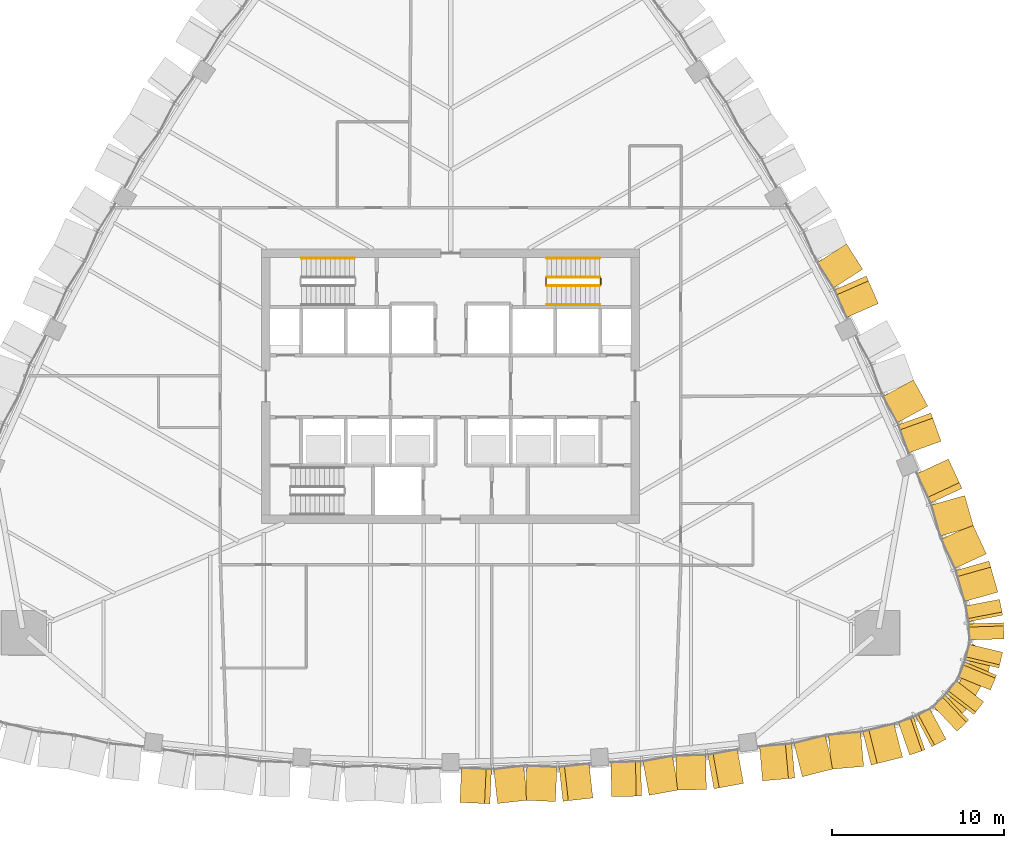
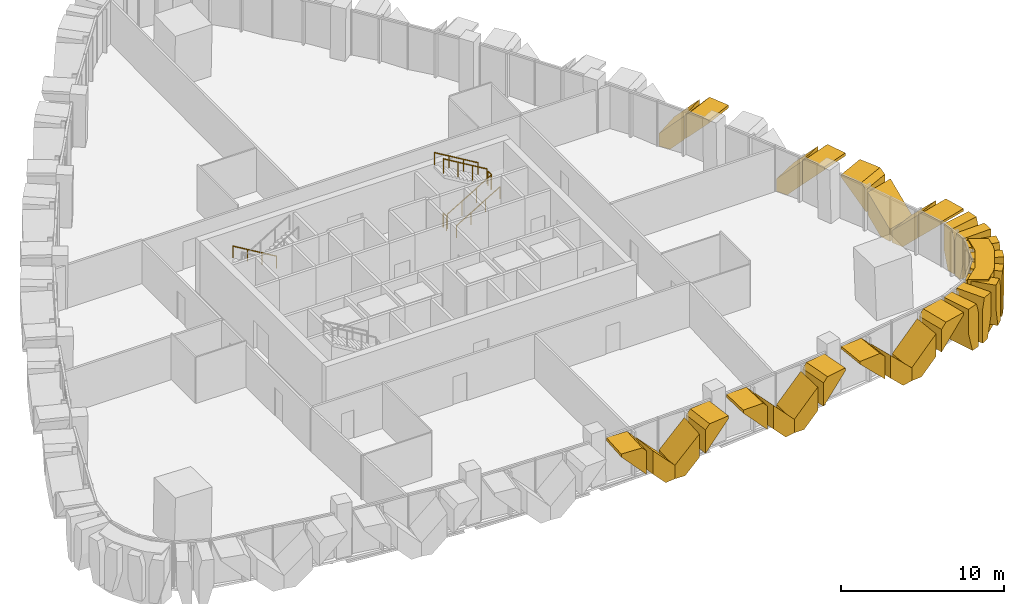
# One storey, part 16 of 18: 29 coverings, 7 railings.
"""IFC4 building model written with IfcOpenShell, lengths in metres."""

from ifc_helpers import new_model, si_unit, direction, frame, origin, origin_2d, place, context, subcontext, project, spatial, polyline, circle, outline, extrude, material, layer, layer_set, type_object, element, save


model = new_model("IFC4")

# Units and contexts
model_context = context("Model", 3, precision=1e-05, world=origin(), true_north=direction((0.0, 1.0)))
body_context = subcontext(model_context, "Body", "Model", "MODEL_VIEW")
ifc_project = project(units=[si_unit("LENGTHUNIT", "METRE"), si_unit("AREAUNIT", "SQUARE_METRE"), si_unit("VOLUMEUNIT", "CUBIC_METRE"), si_unit("PLANEANGLEUNIT", "RADIAN"), si_unit("MASSUNIT", "GRAM", prefix="KILO")], contexts=[model_context])

# Site, building, storey
site_placement = place(None, origin())
site = spatial("IfcSite", under=ifc_project, at=site_placement, CompositionType="ELEMENT")
building_placement = place(site_placement, origin())
building = spatial("IfcBuilding", under=site, at=building_placement, Name="Sierra Prisma Convention Tower", CompositionType="ELEMENT")
storey_placement = place(building_placement, frame((0.0, 0.0, 133.800048828125)))
storey = spatial("IfcBuildingStorey", under=building, at=storey_placement, Name="L28", CompositionType="ELEMENT", Elevation=133.800048828125)

# Coverings
ifc_material_1 = material(Name="Aluminium composite bronze anodised", Category="aluminium")
ifc_layer_1 = layer(ifc_material_1, 1.199951171875)
ifc_layer_set_1 = layer_set([ifc_layer_1], Name="Bronze corner pier")
covering_type_1 = type_object("IfcCoveringType", Name="Bronze corner pier", PredefinedType="CLADDING", material=ifc_layer_set_1)
covering_1_placement = place(storey_placement, frame((0.0, 0.0, -0.60009765625)))
element("IfcCovering", 1, at=covering_1_placement, inside=storey, type_object=covering_type_1, Name="Corner pier SE L28.1", PredefinedType="CLADDING", context=body_context, shape_type="SweptSolid", body=[
    extrude(outline(polyline([(31.3291015625, -16.532958984375), (31.188720703125, -16.912109375), (30.240478515625, -18.55419921875), (29.982421875, -18.865234375), (29.295654296875, -19.4541015625), (28.19384765625, -18.818115234375), (29.201416015625, -17.954345703125), (30.149658203125, -16.31201171875), (30.393798828125, -15.007568359375), (31.49560546875, -15.6435546875), (31.3291015625, -16.532958984375)])), origin(), (0.0, 0.0, 1.0), 4.0),
])
ifc_material_2 = material(Name="Aluminium 6063-T6 bronze anodised", Category="aluminium")
ifc_layer_2 = layer(ifc_material_2, 2.0)
ifc_layer_set_2 = layer_set([ifc_layer_2], Name="Bronze crystal chevron frame")
covering_type_2 = type_object("IfcCoveringType", Name="Bronze crystal chevron frame", PredefinedType="CLADDING", material=ifc_layer_set_2)
covering_2_placement = place(storey_placement, frame((0.53955078125, -24.225830078125, 3.280029296875), z_axis=(-0.045043514966, -0.998985022572, -8.0223814e-05), x_axis=(3.613563e-06, 8.0142389e-05, -0.999999996782)))
element("IfcCovering", 2, at=covering_2_placement, inside=storey, type_object=covering_type_2, Name="CW-2 chevron frame S4.1.1", PredefinedType="CLADDING", context=body_context, shape_type="SweptSolid", body=[
    extrude(outline(polyline([(0.0, 0.0), (0.22094726491400712, 0.0), (2.087646479805005, 1.7512880249437868), (0.33374023544895276, 1.7512880249437868), (-1.2709881421809336e-08, 1.4382344852967308), (0.0, 0.0)])), origin(), (0.0, 0.0, -1.0), 2.0),
])
covering_3_placement = place(storey_placement, frame((2.732177734375, -24.289794921875, 2.8076171875), z_axis=(0.111661308062, -0.993746321847, 9.884471e-06), x_axis=(1.103713e-06, -9.822657e-06, -0.999999999951)))
element("IfcCovering", 3, at=covering_3_placement, inside=storey, type_object=covering_type_2, Name="CW-2 chevron frame S4.1.2", PredefinedType="CLADDING", context=body_context, shape_type="SweptSolid", body=[
    extrude(outline(polyline([(0.0, 0.0), (1.7539062499143192, 3.7140409503630943e-22), (2.807617187729086, 0.9886001246468844), (2.8076171874657945, 1.7514302335337997), (1.8666992187617597, 1.7514302335337997), (0.0, 0.0)])), origin(), (0.0, 0.0, -1.0), 2.0),
])
covering_4_placement = place(storey_placement, frame((5.1103515625, -24.132568359375, 0.0), z_axis=(-0.044996827624, -0.998987128432, -5.2264997e-05), x_axis=(0.683506027858, -0.030824941156, 0.729293721956)))
element("IfcCovering", 4, at=covering_4_placement, inside=storey, type_object=covering_type_2, Name="CW-2 chevron frame S4.2.1", PredefinedType="CLADDING", context=body_context, shape_type="SweptSolid", body=[
    extrude(outline(polyline([(0.0, 0.0), (1.444837536835808, -1.1102230246251565e-16), (2.7239503538608503, 1.2000239692224144), (0.16434575188336664, 1.200030327566231), (-0.5218598156019497, 0.5562535489772575), (0.0, 0.0)])), origin(), (0.0, 0.0, -1.0), 2.0),
])
covering_5_placement = place(storey_placement, frame((8.281494140625, -23.966552734375, 3.280029296875), z_axis=(0.111815544828, -0.993728978428, -3.6988176e-05), x_axis=(-0.993728979107, -0.111815544905, 1.879e-09)))
element("IfcCovering", 5, at=covering_5_placement, inside=storey, type_object=covering_type_2, Name="CW-2 chevron frame S4.2.2", PredefinedType="CLADDING", context=body_context, shape_type="SweptSolid", body=[
    extrude(outline(polyline([(0.0, 0.0), (1.4382265351041053, 8.470329472543003e-22), (1.7512148992974765, 0.3337402378931248), (1.751214896002595, 2.0876464866933433), (-4.150706852106477e-10, 0.22094726547385823), (0.0, 0.0)])), origin(), (0.0, 0.0, -1.0), 2.0),
])
covering_6_placement = place(storey_placement, frame((9.370849609375, -23.89404296875, 3.280029296875), z_axis=(0.021984205937, -0.999758318063, -1.2378315e-05), x_axis=(-2.72127e-07, 1.2375323e-05, -0.999999999923)))
element("IfcCovering", 6, at=covering_6_placement, inside=storey, type_object=covering_type_2, Name="CW-2 chevron frame S5.1.1", PredefinedType="CLADDING", context=body_context, shape_type="SweptSolid", body=[
    extrude(outline(polyline([(0.0, 0.0), (0.2233886718578859, 1.1826097820094068e-23), (2.0893554686407314, 1.7433413460768328), (0.3315429687754, 1.7433413460768328), (-3.0356495590493144e-10, 1.43369556844811), (0.0, 0.0)])), origin(), (0.0, 0.0, -1.0), 2.0),
])
covering_7_placement = place(storey_placement, frame((11.554931640625, -23.811279296875, 2.809326171875), z_axis=(0.178010314701, -0.984028621464, 2.1641e-08), x_axis=(3.852e-09, -2.1295e-08, -1.0)))
element("IfcCovering", 7, at=covering_7_placement, inside=storey, type_object=covering_type_2, Name="CW-2 chevron frame S5.1.2", PredefinedType="CLADDING", context=body_context, shape_type="SweptSolid", body=[
    extrude(outline(polyline([(0.0, 0.0), (1.7578124999999996, 0.0), (2.8093261718750013, 0.9819923508495718), (2.809326171875, 1.743172901462403), (1.8662109375, 1.743172901462403), (0.0, 0.0)])), origin(), (0.0, 0.0, -1.0), 2.0),
])
covering_8_placement = place(storey_placement, frame((13.907470703125, -23.49658203125, 0.0), z_axis=(0.022011240145, -0.999757722663, -3.5818365e-05), x_axis=(0.682434137381, 0.014998679704, 0.730793190817)))
element("IfcCovering", 8, at=covering_8_placement, inside=storey, type_object=covering_type_2, Name="CW-2 chevron frame S5.2.1", PredefinedType="CLADDING", context=body_context, shape_type="SweptSolid", body=[
    extrude(outline(polyline([(0.0, 0.0), (1.438866273732484, 0.0), (2.7234636794657856, 1.1998809467506812), (0.16981308963603492, 1.1998509530313863), (-0.5194091018011519, 0.5560814950733473), (0.0, 0.0)])), origin(), (0.0, 0.0, -1.0), 2.0),
])
covering_9_placement = place(storey_placement, frame((17.046142578125, -23.120361328125, 3.280029296875), z_axis=(0.178001956943, -0.984030132331, 4.4586678e-05), x_axis=(-0.98403013331, -0.17800195712, 2.747e-09)))
element("IfcCovering", 9, at=covering_9_placement, inside=storey, type_object=covering_type_2, Name="CW-2 chevron frame S5.2.2", PredefinedType="CLADDING", context=body_context, shape_type="SweptSolid", body=[
    extrude(outline(polyline([(0.0, 0.0), (1.433770064840574, 1.6940658945086007e-21), (1.7431729004889747, 0.331542973868052), (1.7431728956602568, 2.0893554721208107), (-6.136495787424657e-10, 0.22338867165295478), (0.0, 0.0)])), origin(), (0.0, 0.0, -1.0), 2.0),
])
covering_10_placement = place(storey_placement, frame((18.16015625, -22.9716796875, 3.280029296875), z_axis=(0.088695713946, -0.996058768479, -7.976695e-06), x_axis=(-7.07499e-07, 7.945257e-06, -0.999999999968)))
element("IfcCovering", 10, at=covering_10_placement, inside=storey, type_object=covering_type_2, Name="CW-2 chevron frame S6.1.1", PredefinedType="CLADDING", context=body_context, shape_type="SweptSolid", body=[
    extrude(outline(polyline([(0.0, 0.0), (0.1874999999940349, 0.0), (2.0627441405827707, 1.879968243921956), (0.3676757812616972, 1.879968243921956), (-1.1978343569477988e-10, 1.5113262484362924), (0.0, 0.0)])), origin(), (0.0, 0.0, -1.0), 2.0),
])
covering_11_placement = place(storey_placement, frame((20.4697265625, -22.73095703125, 2.78271484375), z_axis=(0.243356847175, -0.969936825206, -6.581119e-06), x_axis=(-1.60156e-06, 6.38327e-06, -0.999999999978)))
element("IfcCovering", 11, at=covering_11_placement, inside=storey, type_object=covering_type_2, Name="CW-2 chevron frame S6.1.2", PredefinedType="CLADDING", context=body_context, shape_type="SweptSolid", body=[
    extrude(outline(polyline([(0.0, 0.0), (1.6950683593382923, -3.5894468705972945e-22), (2.7827148438495546, 1.0904041063882297), (2.782714843736846, 1.8800070505939015), (1.8754882812564924, 1.8800070505939015), (0.0, 0.0)])), origin(), (0.0, 0.0, -1.0), 2.0),
])
covering_12_placement = place(storey_placement, frame((22.170654296875, -22.2939453125, 0.0), z_axis=(0.088705312955, -0.996057913607, -1.3960801e-05), x_axis=(0.996057913704, 0.088705312963, -6.42e-10)))
element("IfcCovering", 12, at=covering_12_placement, inside=storey, type_object=covering_type_2, Name="CW-2 chevron frame S6.2.1", PredefinedType="CLADDING", context=body_context, shape_type="SweptSolid", body=[
    extrude(outline(polyline([(0.0, 0.0), (0.7894924230616687, 0.0), (1.8799682431641798, 1.0876464856887509), (1.8799682420752084, 2.782714844898563), (-5.82834137113485e-10, 0.9072265624115892), (0.0, 0.0)])), origin(), (0.0, 0.0, -1.0), 2.0),
])
covering_13_placement = place(storey_placement, frame((26.3037109375, -21.595458984375, 3.280029296875), z_axis=(0.243525094377, -0.969894594578, -6.1779533e-05), x_axis=(-0.969894596429, -0.243525094842, 4.754e-09)))
element("IfcCovering", 13, at=covering_13_placement, inside=storey, type_object=covering_type_2, Name="CW-2 chevron frame S6.2.2", PredefinedType="CLADDING", context=body_context, shape_type="SweptSolid", body=[
    extrude(outline(polyline([(0.0, 0.0), (1.5113483886673635, -3.3881317890172014e-21), (1.879829685498246, 0.3676757908887005), (1.8798296774395895, 2.0627441470289076), (-8.914083263495671e-10, 0.18749999964218333), (0.0, 0.0)])), origin(), (0.0, 0.0, -1.0), 2.0),
])
covering_14_placement = place(storey_placement, frame((26.72021484375, -21.47119140625, 3.280029296875), z_axis=(0.327781436726, -0.944753581472, -5.815334e-06), x_axis=(-1.906158e-06, 5.494057e-06, -0.999999999983)))
element("IfcCovering", 14, at=covering_14_placement, inside=storey, type_object=covering_type_2, Name="CW-2 chevron frame SE1.1.1", PredefinedType="CLADDING", context=body_context, shape_type="SweptSolid", body=[
    extrude(outline(polyline([(0.0, 0.0), (1.8425292968438447, 3.9017075518360624e-22), (3.2800292957587933, 0.38187741431778793), (3.2800292967143694, 0.9377899355626428), (0.6989746092580126, 0.9377899355626428), (-1.2996455953432225e-09, 0.7521750843196754), (0.0, 0.0)])), origin(), (0.0, 0.0, -1.0), 2.0),
])
covering_15_placement = place(storey_placement, frame((28.502685546875, -20.72412109375, 0.0), z_axis=(0.471411342333, -0.881913457303, -1.2119783e-05), x_axis=(0.226540037682, 0.121079715075, 0.966446746554)))
element("IfcCovering", 15, at=covering_15_placement, inside=storey, type_object=covering_type_2, Name="CW-2 chevron frame SE1.1.2", PredefinedType="CLADDING", context=body_context, shape_type="SweptSolid", body=[
    extrude(outline(polyline([(0.0, 0.0), (1.4874073548425764, 0.0), (3.26811379923762, 0.4732850813557993), (3.0748916048077106, 1.2002718882993109), (2.3516757994695867, 1.2001743713240534), (-0.14277610594241902, 0.5371864449833207), (0.0, 0.0)])), origin(), (0.0, 0.0, -1.0), 2.0),
])
covering_16_placement = place(storey_placement, frame((29.4775390625, -20.08447265625, 3.280029296875), z_axis=(0.686776860038, -0.72686831302, -6.578179e-06), x_axis=(-4.517741e-06, 4.78147e-06, -0.999999999978)))
element("IfcCovering", 16, at=covering_16_placement, inside=storey, type_object=covering_type_2, Name="CW-2 chevron frame SE2.1.1", PredefinedType="CLADDING", context=body_context, shape_type="SweptSolid", body=[
    extrude(outline(polyline([(0.0, 0.0), (1.8425292968351348, -7.803415103672125e-22), (3.2800292965332125, 0.38219269159958436), (3.2800292968002047, 0.9377767790078648), (0.698974609356049, 0.9377767790078648), (-5.248669577190075e-10, 0.7522961076837642), (0.0, 0.0)])), origin(), (0.0, 0.0, -1.0), 2.0),
])
covering_17_placement = place(storey_placement, frame((30.456787109375, -19.111572265625, 0.0), z_axis=(0.792228837895, -0.61022411325, -4.018658e-06), x_axis=(0.610224113255, 0.792228837901, -7.74e-10)))
element("IfcCovering", 17, at=covering_17_placement, inside=storey, type_object=covering_type_2, Name="CW-2 chevron frame SE2.1.2", PredefinedType="CLADDING", context=body_context, shape_type="SweptSolid", body=[
    extrude(outline(polyline([(0.0, 0.0), (0.5558550090050791, 2.117582368135751e-22), (0.9377728688101067, 1.437500000785169), (0.9377728673842082, 3.2800292976452905), (0.18575633969912095, 3.2800292966283124), (-1.997429336418678e-09, 2.5810546874791584), (0.0, 0.0)])), origin(), (0.0, 0.0, -1.0), 2.0),
])
covering_18_placement = place(storey_placement, frame((31.42236328125, -17.687744140625, 3.280029296875), z_axis=(0.924737510629, -0.3806054866, 2.395986e-06), x_axis=(2.215658e-06, -9.11925e-07, -0.999999999997)))
element("IfcCovering", 18, at=covering_18_placement, inside=storey, type_object=covering_type_2, Name="CW-2 chevron frame SE3.1.1", PredefinedType="CLADDING", context=body_context, shape_type="SweptSolid", body=[
    extrude(outline(polyline([(0.0, 0.0), (1.8425292968697113, 0.0), (3.280029297103907, 0.38206446481889406), (3.280029296898081, 0.937771694134344), (0.6989746094054894, 0.937771694134344), (2.1764435416105993e-10, 0.7522039559503263), (0.0, 0.0)])), origin(), (0.0, 0.0, -1.0), 2.0),
])
covering_19_placement = place(storey_placement, frame((31.91552734375, -16.3984375, 0.0), z_axis=(0.972849590387, -0.23143827355, 4.486739e-06), x_axis=(0.231438273553, 0.972849590397, -1.1e-10)))
element("IfcCovering", 19, at=covering_19_placement, inside=storey, type_object=covering_type_2, Name="CW-2 chevron frame SE3.1.2", PredefinedType="CLADDING", context=body_context, shape_type="SweptSolid", body=[
    extrude(outline(polyline([(0.0, 0.0), (0.5558666535378102, 0.0), (0.9378143417605912, 1.4375000001125429), (0.9378143415574124, 3.280029296968997), (0.18570357215754435, 3.2800292969093396), (-2.8461734374496917e-10, 2.581054687474021), (0.0, 0.0)])), origin(), (0.0, 0.0, -1.0), 2.0),
])
covering_20_placement = place(storey_placement, frame((32.21142578125, -14.703857421875, 3.280029296875), z_axis=(0.999461498082, 0.032813316468, 1.0713639e-05), x_axis=(1.0707869e-05, 3.5155e-07, -0.999999999943)))
element("IfcCovering", 20, at=covering_20_placement, inside=storey, type_object=covering_type_2, Name="CW-2 chevron frame SE4.1.1", PredefinedType="CLADDING", context=body_context, shape_type="SweptSolid", body=[
    extrude(outline(polyline([(0.0, 0.0), (1.8425292967692555, 0.0), (3.280029297595664, 0.38203888238021355), (3.2800292968724305, 0.9380045485178106), (0.6989746095205599, 0.9380045485178106), (3.12315684376801e-10, 0.7523573142655194), (0.0, 0.0)])), origin(), (0.0, 0.0, -1.0), 2.0),
])
covering_21_placement = place(storey_placement, frame((32.131591796875, -13.32568359375, 0.0), z_axis=(0.982073175413, 0.188500074445, -8.23377e-06), x_axis=(-0.188500074451, 0.982073175447, 6.39e-10)))
element("IfcCovering", 21, at=covering_21_placement, inside=storey, type_object=covering_type_2, Name="CW-2 chevron frame SE4.1.2", PredefinedType="CLADDING", context=body_context, shape_type="SweptSolid", body=[
    extrude(outline(polyline([(0.0, 0.0), (0.5558550176363045, 1.0587911840678754e-22), (0.9377085145145521, 1.4374999993544242), (0.9377085156924578, 3.2800292961669673), (0.1856846145737316, 3.2800292973950973), (1.6500356587547523e-09, 2.5810546874125087), (0.0, 0.0)])), origin(), (0.0, 0.0, -1.0), 2.0),
])
covering_22_placement = place(storey_placement, frame((31.854248046875, -11.98193359375, 3.280029296875), z_axis=(0.961687541269, 0.274147900825, -3.7977432e-05), x_axis=(-3.6522423e-05, -1.0411433e-05, -0.999999999279)))
element("IfcCovering", 22, at=covering_22_placement, inside=storey, type_object=covering_type_2, Name="CW-2 chevron frame NE1.1.1", PredefinedType="CLADDING", context=body_context, shape_type="SweptSolid", body=[
    extrude(outline(polyline([(0.0, 0.0), (0.18749999986478577, 0.0), (2.062744139667761, 1.879888297677558), (0.3676757815151467, 1.879888297677558), (-2.715200720367712e-09, 1.5115030793156903), (0.0, 0.0)])), origin(), (0.0, 0.0, -1.0), 2.0),
])
covering_23_placement = place(storey_placement, frame((31.184326171875, -9.75830078125, 2.78271484375), z_axis=(0.906966874756, 0.421201956328, -9.049113e-06), x_axis=(-8.207245e-06, -3.811504e-06, -0.999999999959)))
element("IfcCovering", 23, at=covering_23_placement, inside=storey, type_object=covering_type_2, Name="CW-2 chevron frame NE1.1.2", PredefinedType="CLADDING", context=body_context, shape_type="SweptSolid", body=[
    extrude(outline(polyline([(0.0, 0.0), (1.6950683593055986, -7.178893741194589e-22), (2.782714843938223, 1.0902091608386657), (2.7827148437251306, 1.8797137771249768), (1.875488281262275, 1.8797137771249768), (0.0, 0.0)])), origin(), (0.0, 0.0, -1.0), 2.0),
])
covering_24_placement = place(storey_placement, frame((30.435791015625, -8.169677734375, 0.0), z_axis=(0.961721826661, 0.274027604359, 1.316363e-05), x_axis=(-0.274027604383, 0.961721826744, -5.71e-10)))
element("IfcCovering", 24, at=covering_24_placement, inside=storey, type_object=covering_type_2, Name="CW-2 chevron frame NE1.2.1", PredefinedType="CLADDING", context=body_context, shape_type="SweptSolid", body=[
    extrude(outline(polyline([(0.0, 0.0), (0.7894881197894676, 0.0), (1.879821379332044, 1.0876464855429244), (1.8798213783638789, 2.782714844771063), (-5.18176878357545e-10, 0.9072265624213974), (0.0, 0.0)])), origin(), (0.0, 0.0, -1.0), 2.0),
])
covering_25_placement = place(storey_placement, frame((28.97412109375, -4.2412109375, 3.280029296875), z_axis=(0.906981918522, 0.421169555568, -7.0261833e-05), x_axis=(0.421169556608, -0.906981920761, 6.149e-09)))
element("IfcCovering", 25, at=covering_25_placement, inside=storey, type_object=covering_type_2, Name="CW-2 chevron frame NE1.2.2", PredefinedType="CLADDING", context=body_context, shape_type="SweptSolid", body=[
    extrude(outline(polyline([(0.0, 0.0), (1.5115023654063808, -1.3552527156068805e-20), (1.8799352044462923, 0.36767579371665), (1.8799351940238838, 2.0627441489076066), (-1.1528747891279742e-09, 0.187499999537182), (0.0, 0.0)])), origin(), (0.0, 0.0, -1.0), 2.0),
])
covering_26_placement = place(storey_placement, frame((28.5458984375, -3.202392578125, 3.280029296875), z_axis=(0.94122109943, 0.337791118031, 5.0671914e-05), x_axis=(4.7693475e-05, 1.7116523e-05, -0.999999998716)))
element("IfcCovering", 26, at=covering_26_placement, inside=storey, type_object=covering_type_2, Name="CW-2 chevron frame NE2.1.1", PredefinedType="CLADDING", context=body_context, shape_type="SweptSolid", body=[
    extrude(outline(polyline([(0.0, 0.0), (0.22314453096352227, 0.0), (2.0893554669189247, 1.7433347644349175), (0.33154296917564197, 1.7433347644349175), (-5.086390270382375e-09, 1.4336686040675433), (0.0, 0.0)])), origin(), (0.0, 0.0, -1.0), 2.0),
])
covering_27_placement = place(storey_placement, frame((27.77490234375, -1.1572265625, 2.809326171875), z_axis=(0.876790437995, 0.480872671871, -3.5887042e-05), x_axis=(-3.1465415e-05, -1.7257098e-05, -0.999999999356)))
element("IfcCovering", 27, at=covering_27_placement, inside=storey, type_object=covering_type_2, Name="CW-2 chevron frame NE2.1.2", PredefinedType="CLADDING", context=body_context, shape_type="SweptSolid", body=[
    extrude(outline(polyline([(0.0, 0.0), (1.7578124988680743, 0.0), (2.809326174898656, 0.9821602777026077), (2.8093261714201856, 1.7433842021706782), (1.8662109376524956, 1.7433842021706782), (0.0, 0.0)])), origin(), (0.0, 0.0, -1.0), 2.0),
])
covering_28_placement = place(storey_placement, frame((24.896484375, 4.81103515625, 3.280029296875), z_axis=(0.916490446806, 0.400056570825, 3.2458553e-05), x_axis=(2.9747954e-05, 1.2985257e-05, -0.999999999473)))
element("IfcCovering", 28, at=covering_28_placement, inside=storey, type_object=covering_type_2, Name="CW-2 chevron frame NE3.1.1", PredefinedType="CLADDING", context=body_context, shape_type="SweptSolid", body=[
    extrude(outline(polyline([(0.0, 0.0), (0.22094726550860966, 3.74299227180245e-22), (2.087646483626887, 1.7514860961412706), (0.33374023455080726, 1.7514860961412706), (-2.0806220791058454e-09, 1.4382483551860354), (0.0, 0.0)])), origin(), (0.0, 0.0, -1.0), 2.0),
])
covering_29_placement = place(storey_placement, frame((23.987060546875, 6.807373046875, 2.8076171875), z_axis=(0.842616188815, 0.538514580766, 6.8188911e-05), x_axis=(5.745708e-05, 3.6720723e-05, -0.999999997675)))
element("IfcCovering", 29, at=covering_29_placement, inside=storey, type_object=covering_type_2, Name="CW-2 chevron frame NE3.1.2", PredefinedType="CLADDING", context=body_context, shape_type="SweptSolid", body=[
    extrude(outline(polyline([(0.0, 0.0), (1.7539062459224068, -1.1884931041161902e-20), (2.80761719840234, 0.9887233515404967), (2.8076171858721413, 1.7514396248931992), (1.8666992193096474, 1.7514396248931992), (0.0, 0.0)])), origin(), (0.0, 0.0, -1.0), 2.0),
])

# Railings
ifc_material_3 = material(Name="Stainless steel", Category="steel")
railing_type_1 = type_object("IfcRailingType", Name="Exit stair handrail", PredefinedType="HANDRAIL", material=ifc_material_3)
railing_1_placement = place(storey_placement, frame((-5.60009765625, 7.449951171875, 0.16650390625)))
element("IfcRailing", 30, at=railing_1_placement, inside=storey, type_object=railing_type_1, Name="L28 S3 stair handrail 1", PredefinedType="HANDRAIL", context=body_context, shape_type="SweptSolid", body=[
    extrude(circle(Radius=0.02392578125, at=origin_2d()), frame((0.0, 0.0, 0.8759765625), z_axis=(-0.859260807169, 0.0, 0.511537745687), x_axis=(0.0, -1.0, 0.0)), (0.0, 0.0, 1.0), 3.584228515625),
    extrude(circle(Radius=0.02099609375, at=origin_2d()), origin(), (0.0, 0.0, 1.0), 0.851806640625),
    extrude(circle(Radius=0.02099609375, at=origin_2d()), frame((-1.026611328125, 0.0, 0.611083984375)), (0.0, 0.0, 1.0), 0.851806640625),
    extrude(circle(Radius=0.02099609375, at=origin_2d()), frame((-2.05322265625, 0.0, 1.222412109375)), (0.0, 0.0, 1.0), 0.851806640625),
    extrude(circle(Radius=0.02099609375, at=origin_2d()), frame((-3.079833984375, 0.0, 1.83349609375)), (0.0, 0.0, 1.0), 0.851806640625),
])
railing_2_placement = place(storey_placement, frame((5.60009765625, 4.75, 0.16650390625)))
element("IfcRailing", 31, at=railing_2_placement, inside=storey, type_object=railing_type_1, Name="L28 S4 stair handrail 1", PredefinedType="HANDRAIL", context=body_context, shape_type="SweptSolid", body=[
    extrude(circle(Radius=0.02392578125, at=origin_2d()), frame((0.0, 0.0, 0.8759765625), z_axis=(0.859260807169, 0.0, 0.511537745687), x_axis=(0.0, 1.0, 0.0)), (0.0, 0.0, 1.0), 3.584228515625),
    extrude(circle(Radius=0.02099609375, at=origin_2d()), origin(), (0.0, 0.0, 1.0), 0.851806640625),
    extrude(circle(Radius=0.02099609375, at=origin_2d()), frame((1.026611328125, 0.0, 0.611083984375)), (0.0, 0.0, 1.0), 0.851806640625),
    extrude(circle(Radius=0.02099609375, at=origin_2d()), frame((2.05322265625, 0.0, 1.222412109375)), (0.0, 0.0, 1.0), 0.851806640625),
    extrude(circle(Radius=0.02099609375, at=origin_2d()), frame((3.079833984375, 0.0, 1.83349609375)), (0.0, 0.0, 1.0), 0.851806640625),
])
railing_3_placement = place(storey_placement, frame((8.679931640625, 7.449951171875, 2.16650390625)))
element("IfcRailing", 32, at=railing_3_placement, inside=storey, type_object=railing_type_1, Name="L28 S4 stair handrail 2", PredefinedType="HANDRAIL", context=body_context, shape_type="SweptSolid", body=[
    extrude(circle(Radius=0.02392578125, at=origin_2d()), frame((0.0, 0.0, 0.8759765625), z_axis=(-0.859260807169, 0.0, 0.511537745687), x_axis=(0.0, -1.0, 0.0)), (0.0, 0.0, 1.0), 3.584228515625),
    extrude(circle(Radius=0.02099609375, at=origin_2d()), origin(), (0.0, 0.0, 1.0), 0.851806640625),
    extrude(circle(Radius=0.02099609375, at=origin_2d()), frame((-1.026611328125, 0.0, 0.611083984375)), (0.0, 0.0, 1.0), 0.851806640625),
    extrude(circle(Radius=0.02099609375, at=origin_2d()), frame((-2.05322265625, 0.0, 1.222412109375)), (0.0, 0.0, 1.0), 0.851806640625),
    extrude(circle(Radius=0.02099609375, at=origin_2d()), frame((-3.079833984375, 0.0, 1.83349609375)), (0.0, 0.0, 1.0), 0.851806640625),
])
ifc_material_4 = material(Name="Stainless steel", Category="steel")
railing_type_2 = type_object("IfcRailingType", Name="Stair guard 1100", PredefinedType="GUARDRAIL", material=ifc_material_4)
railing_4_placement = place(storey_placement, frame((5.60009765625, 5.85009765625, 0.16650390625)))
element("IfcRailing", 33, at=railing_4_placement, inside=storey, type_object=railing_type_2, Name="L28 S4 stair guard 1", PredefinedType="GUARDRAIL", context=body_context, shape_type="SweptSolid", body=[
    extrude(circle(Radius=0.02392578125, at=origin_2d()), frame((0.0, 0.0, 1.076171875), z_axis=(0.859260807169, 0.0, 0.511537745687), x_axis=(0.0, 1.0, 0.0)), (0.0, 0.0, 1.0), 3.584228515625),
    extrude(circle(Radius=0.02099609375, at=origin_2d()), origin(), (0.0, 0.0, 1.0), 1.052001953125),
    extrude(circle(Radius=0.02099609375, at=origin_2d()), frame((1.026611328125, 0.0, 0.611083984375)), (0.0, 0.0, 1.0), 1.052001953125),
    extrude(circle(Radius=0.02099609375, at=origin_2d()), frame((2.05322265625, 0.0, 1.222412109375)), (0.0, 0.0, 1.0), 1.052001953125),
    extrude(circle(Radius=0.02099609375, at=origin_2d()), frame((3.079833984375, 0.0, 1.83349609375)), (0.0, 0.0, 1.0), 1.052001953125),
])
railing_5_placement = place(storey_placement, frame((8.72998046875, 5.89990234375, 2.0)))
element("IfcRailing", 34, at=railing_5_placement, inside=storey, type_object=railing_type_2, Name="L28 S4 stair guard 2", PredefinedType="GUARDRAIL", context=body_context, shape_type="SweptSolid", body=[
    extrude(circle(Radius=0.02392578125, at=origin_2d()), frame((0.0, 0.0, 1.076171875), z_axis=(0.0, 1.0, 0.0), x_axis=(-1.0, 0.0, 0.0)), (0.0, 0.0, 1.0), 0.400146484375),
    extrude(circle(Radius=0.02099609375, at=origin_2d()), origin(), (0.0, 0.0, 1.0), 1.052001953125),
    extrude(circle(Radius=0.02099609375, at=origin_2d()), frame((0.0, 0.400146484375, 0.0)), (0.0, 0.0, 1.0), 1.052001953125),
])
railing_6_placement = place(storey_placement, frame((8.679931640625, 6.35009765625, 2.16650390625)))
element("IfcRailing", 35, at=railing_6_placement, inside=storey, type_object=railing_type_2, Name="L28 S4 stair guard 3", PredefinedType="GUARDRAIL", context=body_context, shape_type="SweptSolid", body=[
    extrude(circle(Radius=0.02392578125, at=origin_2d()), frame((0.0, 0.0, 1.076171875), z_axis=(-0.859260807169, 0.0, 0.511537745687), x_axis=(0.0, -1.0, 0.0)), (0.0, 0.0, 1.0), 3.584228515625),
    extrude(circle(Radius=0.02099609375, at=origin_2d()), origin(), (0.0, 0.0, 1.0), 1.052001953125),
    extrude(circle(Radius=0.02099609375, at=origin_2d()), frame((-1.026611328125, 0.0, 0.611083984375)), (0.0, 0.0, 1.0), 1.052001953125),
    extrude(circle(Radius=0.02099609375, at=origin_2d()), frame((-2.05322265625, 0.0, 1.222412109375)), (0.0, 0.0, 1.0), 1.052001953125),
    extrude(circle(Radius=0.02099609375, at=origin_2d()), frame((-3.079833984375, 0.0, 1.83349609375)), (0.0, 0.0, 1.0), 1.052001953125),
])
railing_7_placement = place(storey_placement, frame((5.550048828125, 5.89990234375, 0.0)))
element("IfcRailing", 36, at=railing_7_placement, inside=storey, type_object=railing_type_2, Name="L28 S4 stair guard 4", PredefinedType="GUARDRAIL", context=body_context, shape_type="SweptSolid", body=[
    extrude(circle(Radius=0.02392578125, at=origin_2d()), frame((0.0, 0.0, 1.076171875), z_axis=(0.0, 1.0, 0.0), x_axis=(-1.0, 0.0, 0.0)), (0.0, 0.0, 1.0), 0.400146484375),
    extrude(circle(Radius=0.02099609375, at=origin_2d()), origin(), (0.0, 0.0, 1.0), 1.052001953125),
    extrude(circle(Radius=0.02099609375, at=origin_2d()), frame((0.0, 0.400146484375, 0.0)), (0.0, 0.0, 1.0), 1.052001953125),
])

save(model, "model.ifc")
